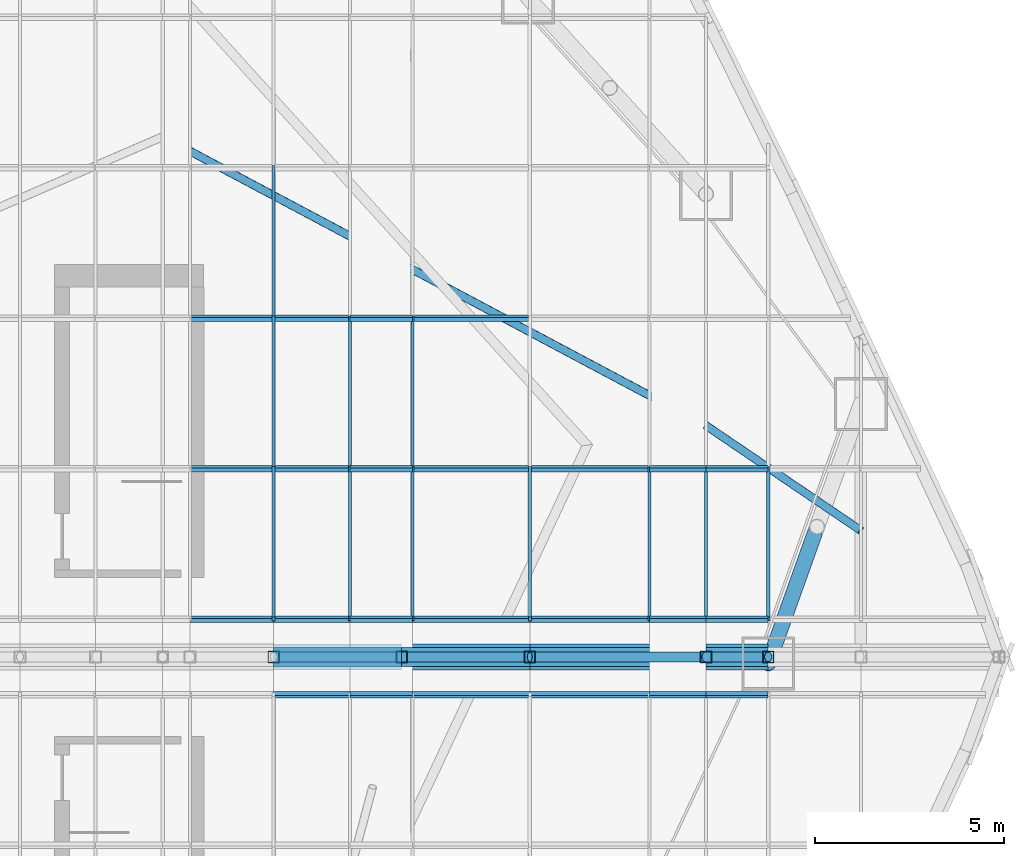
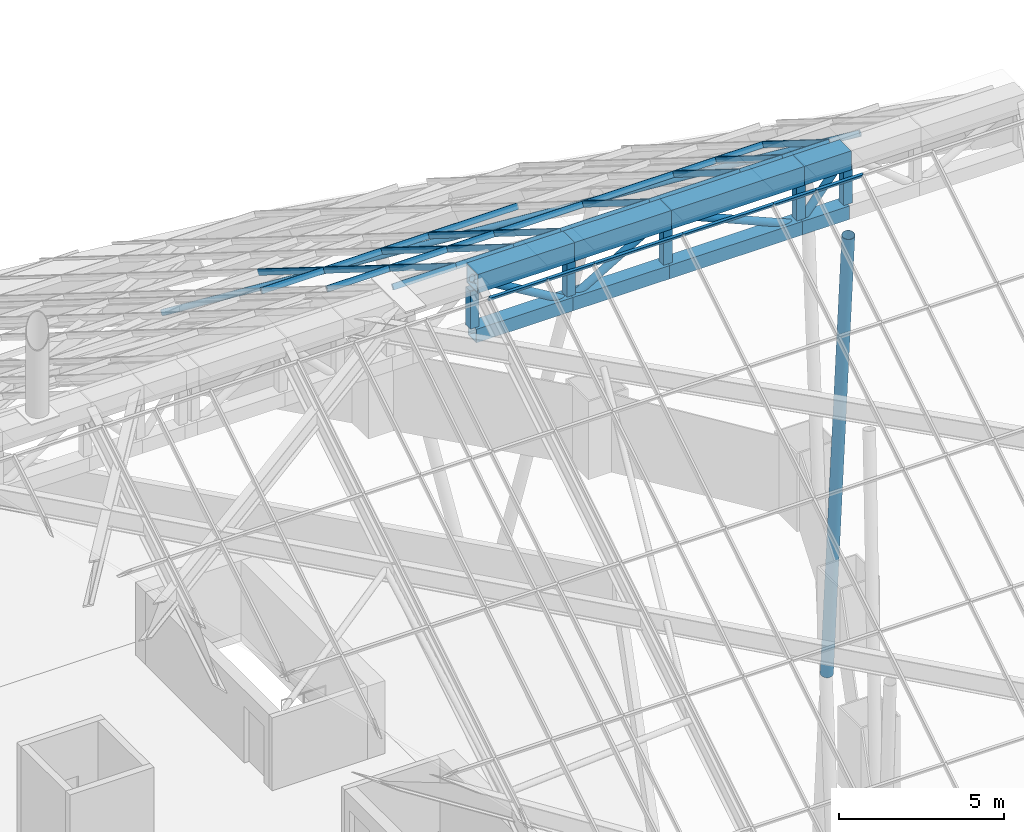
# One storey, part 19 of 38: 55 members, 18 elements without a shape of their own.
"""IFC4 building model written with IfcOpenShell, lengths in metres."""

from ifc_helpers import new_model, si_unit, direction, frame, origin, origin_2d, place, context, subcontext, project, spatial, rectangle, hollow_rectangle, hollow_circle, extrude, material, layer, layer_set, material_profile, profile_set, type_object, element, aggregate, save


model = new_model("IFC4")

# Units and contexts
model_context = context("Model", 3, precision=1e-05, world=origin(), true_north=direction((0.0, 1.0)))
body_context = subcontext(model_context, "Body", "Model", "MODEL_VIEW")
ifc_project = project(units=[si_unit("LENGTHUNIT", "METRE"), si_unit("AREAUNIT", "SQUARE_METRE"), si_unit("VOLUMEUNIT", "CUBIC_METRE"), si_unit("PLANEANGLEUNIT", "RADIAN"), si_unit("MASSUNIT", "GRAM", prefix="KILO")], contexts=[model_context])

# Site, building, storey
site_placement = place(None, origin())
site = spatial("IfcSite", under=ifc_project, at=site_placement, CompositionType="ELEMENT")
building_placement = place(site_placement, origin())
building = spatial("IfcBuilding", under=site, at=building_placement, Name="Dongbaek Canopy Tower", CompositionType="ELEMENT")
storey_placement = place(building_placement, frame((0.0, 0.0, 375.800048828125)))
storey = spatial("IfcBuildingStorey", under=building, at=storey_placement, Name="Roof", CompositionType="ELEMENT", Elevation=375.800048828125)

# Member
ifc_material_1 = material(Name="Steel S355", Category="steel")
ifc_material_profile_1 = material_profile(ifc_material_1, hollow_circle(Radius=0.203125, WallThickness=0.0126953125, at=origin_2d()), Name="COLONNADE BRACE CHS 406.4x12.7 Steel S355")
ifc_profile_set_1 = profile_set([ifc_material_profile_1], Name="Steel S355")
member_type_1 = type_object("IfcMemberType", Name="COLONNADE BRACE CHS 406.4x12.7 Steel S355", PredefinedType="BRACE", material=ifc_profile_set_1)
member_1_placement = place(storey_placement, frame((28.35107421875, -0.169921875, 15.376708984375), z_axis=(0.064101284819, 0.179424824142, -0.981681087608), x_axis=(-0.941707011665, 0.336434100799, 0.0)))
element("IfcMember", 1, at=member_1_placement, inside=storey, type_object=member_type_1, Name="XBRACE:12:2", PredefinedType="BRACE", context=body_context, shape_type="SweptSolid", body=[
    extrude(hollow_circle(Radius=0.203125, WallThickness=0.0126953125, at=origin_2d()), origin(), (0.0, 0.0, 1.0), 19.108154296875),
])

# Curtain wall, member
ifc_material_2 = material(Name="Aluminium 6063-T6 pale anodised", Category="aluminium")
ifc_layer = layer(ifc_material_2, 0.199951171875)
ifc_layer_set = layer_set([ifc_layer], Name="CW-6 canopy glazing curtain wall")
curtain_wall_type = type_object("IfcCurtainWallType", Name="CW-6 canopy glazing curtain wall", PredefinedType="NOTDEFINED", material=ifc_layer_set)
curtain_wall_1_placement = place(storey_placement, origin())
curtain_wall_1 = element("IfcCurtainWall", 2, at=curtain_wall_1_placement, inside=storey, type_object=curtain_wall_type, Name="CW-6 canopy glazing north 23.1", PredefinedType="NOTDEFINED")
ifc_material_3 = material(Name="Aluminium 6063-T6 pale anodised", Category="aluminium")
ifc_material_profile_2 = material_profile(ifc_material_3, rectangle(XDim=0.080078125, YDim=0.199951171875, at=origin_2d()), Name="CW-6 mullion 80 x 200")
ifc_profile_set_2 = profile_set([ifc_material_profile_2], Name="Aluminium 6063-T6 pale anodised")
member_type_2 = type_object("IfcMemberType", Name="CW-6 mullion 80 x 200", PredefinedType="MULLION", material=ifc_profile_set_2)
member_2_placement = place(storey_placement, frame((15.251953125, 1.0, 18.0986328125), z_axis=(0.0, 0.848068327403, -0.529886886095), x_axis=(-1.0, 0.0, 0.0)))
member_2 = element("IfcMember", 3, at=member_2_placement, type_object=member_type_2, Name="CW-6 mullion N23.1.15.3", PredefinedType="MULLION", context=body_context, shape_type="SweptSolid", body=[
    extrude(rectangle(XDim=0.080078125, YDim=0.199951171875, at=origin_2d()), origin(), (0.0, 0.0, 1.0), 4.700439453125),
])

curtain_wall_2_placement = place(storey_placement, origin())
curtain_wall_2 = element("IfcCurtainWall", 4, at=curtain_wall_2_placement, inside=storey, type_object=curtain_wall_type, Name="CW-6 canopy glazing north 23.2", PredefinedType="NOTDEFINED")
member_3_placement = place(storey_placement, frame((15.251953125, 4.986328125, 15.60791015625), z_axis=(0.0, 0.848030400431, -0.529947582262), x_axis=(-1.0, 0.0, 0.0)))
member_3 = element("IfcMember", 5, at=member_3_placement, type_object=member_type_2, Name="CW-6 mullion N23.2.15.3", PredefinedType="MULLION", context=body_context, shape_type="SweptSolid", body=[
    extrude(rectangle(XDim=0.080078125, YDim=0.199951171875, at=origin_2d()), origin(), (0.0, 0.0, 1.0), 4.700439453125),
])

curtain_wall_3_placement = place(storey_placement, origin())
curtain_wall_3 = element("IfcCurtainWall", 6, at=curtain_wall_3_placement, inside=storey, type_object=curtain_wall_type, Name="CW-6 canopy glazing north 23.3", PredefinedType="NOTDEFINED")
member_4_placement = place(storey_placement, frame((15.251953125, 8.972412109375, 13.116943359375), z_axis=(0.0, 0.848068327403, -0.529886886095), x_axis=(-1.0, 0.0, 0.0)))
member_4 = element("IfcMember", 7, at=member_4_placement, type_object=member_type_2, Name="CW-6 mullion N23.3.15.3", PredefinedType="MULLION", context=body_context, shape_type="SweptSolid", body=[
    extrude(rectangle(XDim=0.080078125, YDim=0.199951171875, at=origin_2d()), origin(), (0.0, 0.0, 1.0), 4.700439453125),
])
aggregate(curtain_wall_3, [member_4])

curtain_wall_4_placement = place(storey_placement, origin())
curtain_wall_4 = element("IfcCurtainWall", 8, at=curtain_wall_4_placement, inside=storey, type_object=curtain_wall_type, Name="CW-6 canopy glazing north 24.1", PredefinedType="NOTDEFINED")
member_5_placement = place(storey_placement, frame((17.27587890625, 1.0, 18.0986328125), z_axis=(0.0, 0.848068327403, -0.529886886095), x_axis=(-1.0, 0.0, 0.0)))
member_5 = element("IfcMember", 9, at=member_5_placement, type_object=member_type_2, Name="CW-6 mullion N24.1.17.3", PredefinedType="MULLION", context=body_context, shape_type="SweptSolid", body=[
    extrude(rectangle(XDim=0.080078125, YDim=0.199951171875, at=origin_2d()), origin(), (0.0, 0.0, 1.0), 4.700439453125),
])

curtain_wall_5_placement = place(storey_placement, origin())
curtain_wall_5 = element("IfcCurtainWall", 10, at=curtain_wall_5_placement, inside=storey, type_object=curtain_wall_type, Name="CW-6 canopy glazing north 24.2", PredefinedType="NOTDEFINED")
member_6_placement = place(storey_placement, frame((17.27587890625, 4.986328125, 15.60791015625), z_axis=(0.0, 0.848030400431, -0.529947582262), x_axis=(-1.0, 0.0, 0.0)))
member_6 = element("IfcMember", 11, at=member_6_placement, type_object=member_type_2, Name="CW-6 mullion N24.2.17.3", PredefinedType="MULLION", context=body_context, shape_type="SweptSolid", body=[
    extrude(rectangle(XDim=0.080078125, YDim=0.199951171875, at=origin_2d()), origin(), (0.0, 0.0, 1.0), 4.700439453125),
])

curtain_wall_6_placement = place(storey_placement, origin())
curtain_wall_6 = element("IfcCurtainWall", 12, at=curtain_wall_6_placement, inside=storey, type_object=curtain_wall_type, Name="CW-6 canopy glazing north 25.1", PredefinedType="NOTDEFINED")
member_7_placement = place(storey_placement, frame((18.925048828125, 1.0, 18.0986328125), z_axis=(0.0, 0.848068327403, -0.529886886095), x_axis=(-1.0, 0.0, 0.0)))
member_7 = element("IfcMember", 13, at=member_7_placement, type_object=member_type_2, Name="CW-6 mullion N25.1.18.9", PredefinedType="MULLION", context=body_context, shape_type="SweptSolid", body=[
    extrude(rectangle(XDim=0.080078125, YDim=0.199951171875, at=origin_2d()), origin(), (0.0, 0.0, 1.0), 4.700439453125),
])

curtain_wall_7_placement = place(storey_placement, origin())
curtain_wall_7 = element("IfcCurtainWall", 14, at=curtain_wall_7_placement, inside=storey, type_object=curtain_wall_type, Name="CW-6 canopy glazing north 25.2", PredefinedType="NOTDEFINED")
member_8_placement = place(storey_placement, frame((18.925048828125, 4.986328125, 15.60791015625), z_axis=(0.0, 0.848030400431, -0.529947582262), x_axis=(-1.0, 0.0, 0.0)))
member_8 = element("IfcMember", 15, at=member_8_placement, type_object=member_type_2, Name="CW-6 mullion N25.2.18.9", PredefinedType="MULLION", context=body_context, shape_type="SweptSolid", body=[
    extrude(rectangle(XDim=0.080078125, YDim=0.199951171875, at=origin_2d()), origin(), (0.0, 0.0, 1.0), 4.700439453125),
])

curtain_wall_8_placement = place(storey_placement, origin())
curtain_wall_8 = element("IfcCurtainWall", 16, at=curtain_wall_8_placement, inside=storey, type_object=curtain_wall_type, Name="CW-6 canopy glazing north 26.1", PredefinedType="NOTDEFINED")
member_9_placement = place(storey_placement, frame((22.035400390625, 1.0, 18.0986328125), z_axis=(0.0, 0.848068327403, -0.529886886095), x_axis=(-1.0, 0.0, 0.0)))
member_9 = element("IfcMember", 17, at=member_9_placement, type_object=member_type_2, Name="CW-6 mullion N26.1.22.0", PredefinedType="MULLION", context=body_context, shape_type="SweptSolid", body=[
    extrude(rectangle(XDim=0.080078125, YDim=0.199951171875, at=origin_2d()), origin(), (0.0, 0.0, 1.0), 4.700439453125),
])

curtain_wall_9_placement = place(storey_placement, origin())
curtain_wall_9 = element("IfcCurtainWall", 18, at=curtain_wall_9_placement, inside=storey, type_object=curtain_wall_type, Name="CW-6 canopy glazing north 27.1", PredefinedType="NOTDEFINED")
member_10_placement = place(storey_placement, frame((25.2099609375, 1.0, 18.0986328125), z_axis=(0.0, 0.848068327403, -0.529886886095), x_axis=(-1.0, 0.0, 0.0)))
member_10 = element("IfcMember", 19, at=member_10_placement, type_object=member_type_2, Name="CW-6 mullion N27.1.25.2", PredefinedType="MULLION", context=body_context, shape_type="SweptSolid", body=[
    extrude(rectangle(XDim=0.080078125, YDim=0.199951171875, at=origin_2d()), origin(), (0.0, 0.0, 1.0), 4.700439453125),
])

curtain_wall_10_placement = place(storey_placement, origin())
curtain_wall_10 = element("IfcCurtainWall", 20, at=curtain_wall_10_placement, inside=storey, type_object=curtain_wall_type, Name="CW-6 canopy glazing north 28.1", PredefinedType="NOTDEFINED")
member_11_placement = place(storey_placement, frame((26.702880859375, 1.0, 18.0986328125), z_axis=(0.0, 0.848068327403, -0.529886886095), x_axis=(-1.0, 0.0, 0.0)))
member_11 = element("IfcMember", 21, at=member_11_placement, type_object=member_type_2, Name="CW-6 mullion N28.1.26.7", PredefinedType="MULLION", context=body_context, shape_type="SweptSolid", body=[
    extrude(rectangle(XDim=0.080078125, YDim=0.199951171875, at=origin_2d()), origin(), (0.0, 0.0, 1.0), 4.700439453125),
])

curtain_wall_11_placement = place(storey_placement, origin())
curtain_wall_11 = element("IfcCurtainWall", 22, at=curtain_wall_11_placement, inside=storey, type_object=curtain_wall_type, Name="CW-6 canopy glazing north 29.1", PredefinedType="NOTDEFINED")
member_12_placement = place(storey_placement, frame((28.35107421875, 1.0, 18.0986328125), z_axis=(0.0, 0.848068327403, -0.529886886095), x_axis=(-1.0, 0.0, 0.0)))
member_12 = element("IfcMember", 23, at=member_12_placement, type_object=member_type_2, Name="CW-6 mullion N29.1.28.4", PredefinedType="MULLION", context=body_context, shape_type="SweptSolid", body=[
    extrude(rectangle(XDim=0.080078125, YDim=0.199951171875, at=origin_2d()), origin(), (0.0, 0.0, 1.0), 4.700439453125),
])

# Member
ifc_material_4 = material(Name="Aluminium 6063-T6 pale anodised", Category="aluminium")
ifc_material_profile_3 = material_profile(ifc_material_4, rectangle(XDim=0.080078125, YDim=0.199951171875, at=origin_2d()), Name="CW-6 transom 80 x 200")
ifc_profile_set_3 = profile_set([ifc_material_profile_3], Name="Aluminium 6063-T6 pale anodised")
member_type_3 = type_object("IfcMemberType", Name="CW-6 transom 80 x 200", PredefinedType="USERDEFINED", material=ifc_profile_set_3)
member_13_placement = place(storey_placement, frame((13.035400390625, 1.0, 18.0986328125), z_axis=(1.0, 0.0, 0.0), x_axis=(0.0, 0.848048096156, -0.529919264233)))
member_13 = element("IfcMember", 24, at=member_13_placement, type_object=member_type_3, Name="CW-6 transom N23.1.1", ObjectType="TRANSOM", PredefinedType="USERDEFINED", context=body_context, shape_type="SweptSolid", body=[
    extrude(rectangle(XDim=0.080078125, YDim=0.199951171875, at=origin_2d()), origin(), (0.0, 0.0, 1.0), 2.216552734375),
])

member_14_placement = place(storey_placement, frame((13.035400390625, 4.986328125, 15.60791015625), z_axis=(1.0, 0.0, 0.0), x_axis=(0.0, 0.848048096156, -0.529919264233)))
member_14 = element("IfcMember", 25, at=member_14_placement, type_object=member_type_3, Name="CW-6 transom N23.1.2", ObjectType="TRANSOM", PredefinedType="USERDEFINED", context=body_context, shape_type="SweptSolid", body=[
    extrude(rectangle(XDim=0.080078125, YDim=0.199951171875, at=origin_2d()), origin(), (0.0, 0.0, 1.0), 2.216552734375),
])

aggregate(curtain_wall_1, [member_2, member_13, member_14])

member_15_placement = place(storey_placement, frame((13.035400390625, 8.972412109375, 13.116943359375), z_axis=(1.0, 0.0, 0.0), x_axis=(0.0, 0.848048096156, -0.529919264233)))
member_15 = element("IfcMember", 26, at=member_15_placement, type_object=member_type_3, Name="CW-6 transom N23.2.3", ObjectType="TRANSOM", PredefinedType="USERDEFINED", context=body_context, shape_type="SweptSolid", body=[
    extrude(rectangle(XDim=0.080078125, YDim=0.199951171875, at=origin_2d()), origin(), (0.0, 0.0, 1.0), 2.216552734375),
])

aggregate(curtain_wall_2, [member_3, member_15])

member_16_placement = place(storey_placement, frame((15.251953125, 1.0, 18.0986328125), z_axis=(1.0, 0.0, 0.0), x_axis=(0.0, 0.848048096156, -0.529919264233)))
member_16 = element("IfcMember", 27, at=member_16_placement, type_object=member_type_3, Name="CW-6 transom N24.1.1", ObjectType="TRANSOM", PredefinedType="USERDEFINED", context=body_context, shape_type="SweptSolid", body=[
    extrude(rectangle(XDim=0.080078125, YDim=0.199951171875, at=origin_2d()), origin(), (0.0, 0.0, 1.0), 2.02392578125),
])

member_17_placement = place(storey_placement, frame((15.251953125, 4.986328125, 15.60791015625), z_axis=(1.0, 0.0, 0.0), x_axis=(0.0, 0.848048096156, -0.529919264233)))
member_17 = element("IfcMember", 28, at=member_17_placement, type_object=member_type_3, Name="CW-6 transom N24.1.2", ObjectType="TRANSOM", PredefinedType="USERDEFINED", context=body_context, shape_type="SweptSolid", body=[
    extrude(rectangle(XDim=0.080078125, YDim=0.199951171875, at=origin_2d()), origin(), (0.0, 0.0, 1.0), 2.02392578125),
])

aggregate(curtain_wall_4, [member_5, member_16, member_17])

member_18_placement = place(storey_placement, frame((15.251953125, 8.972412109375, 13.116943359375), z_axis=(1.0, 0.0, 0.0), x_axis=(0.0, 0.848048096156, -0.529919264233)))
member_18 = element("IfcMember", 29, at=member_18_placement, type_object=member_type_3, Name="CW-6 transom N24.2.3", ObjectType="TRANSOM", PredefinedType="USERDEFINED", context=body_context, shape_type="SweptSolid", body=[
    extrude(rectangle(XDim=0.080078125, YDim=0.199951171875, at=origin_2d()), origin(), (0.0, 0.0, 1.0), 2.02392578125),
])

aggregate(curtain_wall_5, [member_6, member_18])

member_19_placement = place(storey_placement, frame((17.27587890625, 1.0, 18.0986328125), z_axis=(1.0, 0.0, 0.0), x_axis=(0.0, 0.848048096156, -0.529919264233)))
member_19 = element("IfcMember", 30, at=member_19_placement, type_object=member_type_3, Name="CW-6 transom N25.1.1", ObjectType="TRANSOM", PredefinedType="USERDEFINED", context=body_context, shape_type="SweptSolid", body=[
    extrude(rectangle(XDim=0.080078125, YDim=0.199951171875, at=origin_2d()), origin(), (0.0, 0.0, 1.0), 1.649169921875),
])

member_20_placement = place(storey_placement, frame((17.27587890625, 4.986328125, 15.60791015625), z_axis=(1.0, 0.0, 0.0), x_axis=(0.0, 0.848048096156, -0.529919264233)))
member_20 = element("IfcMember", 31, at=member_20_placement, type_object=member_type_3, Name="CW-6 transom N25.1.2", ObjectType="TRANSOM", PredefinedType="USERDEFINED", context=body_context, shape_type="SweptSolid", body=[
    extrude(rectangle(XDim=0.080078125, YDim=0.199951171875, at=origin_2d()), origin(), (0.0, 0.0, 1.0), 1.649169921875),
])

aggregate(curtain_wall_6, [member_7, member_19, member_20])

member_21_placement = place(storey_placement, frame((17.27587890625, 8.972412109375, 13.116943359375), z_axis=(1.0, 0.0, 0.0), x_axis=(0.0, 0.848048096156, -0.529919264233)))
member_21 = element("IfcMember", 32, at=member_21_placement, type_object=member_type_3, Name="CW-6 transom N25.2.3", ObjectType="TRANSOM", PredefinedType="USERDEFINED", context=body_context, shape_type="SweptSolid", body=[
    extrude(rectangle(XDim=0.080078125, YDim=0.199951171875, at=origin_2d()), origin(), (0.0, 0.0, 1.0), 1.649169921875),
])

aggregate(curtain_wall_7, [member_8, member_21])

member_22_placement = place(storey_placement, frame((18.925048828125, 1.0, 18.0986328125), z_axis=(1.0, 0.0, 0.0), x_axis=(0.0, 0.848048096156, -0.529919264233)))
member_22 = element("IfcMember", 33, at=member_22_placement, type_object=member_type_3, Name="CW-6 transom N26.1.1", ObjectType="TRANSOM", PredefinedType="USERDEFINED", context=body_context, shape_type="SweptSolid", body=[
    extrude(rectangle(XDim=0.080078125, YDim=0.199951171875, at=origin_2d()), origin(), (0.0, 0.0, 1.0), 3.1103515625),
])

member_23_placement = place(storey_placement, frame((18.925048828125, 4.986328125, 15.60791015625), z_axis=(1.0, 0.0, 0.0), x_axis=(0.0, 0.848048096156, -0.529919264233)))
member_23 = element("IfcMember", 34, at=member_23_placement, type_object=member_type_3, Name="CW-6 transom N26.1.2", ObjectType="TRANSOM", PredefinedType="USERDEFINED", context=body_context, shape_type="SweptSolid", body=[
    extrude(rectangle(XDim=0.080078125, YDim=0.199951171875, at=origin_2d()), origin(), (0.0, 0.0, 1.0), 3.1103515625),
])

aggregate(curtain_wall_8, [member_9, member_22, member_23])

# Curtain wall, member
curtain_wall_12_placement = place(storey_placement, origin())
curtain_wall_12 = element("IfcCurtainWall", 35, at=curtain_wall_12_placement, inside=storey, type_object=curtain_wall_type, Name="CW-6 canopy glazing north 26.2", PredefinedType="NOTDEFINED")
member_24_placement = place(storey_placement, frame((18.925048828125, 8.972412109375, 13.116943359375), z_axis=(1.0, 0.0, 0.0), x_axis=(0.0, 0.848048096156, -0.529919264233)))
member_24 = element("IfcMember", 36, at=member_24_placement, type_object=member_type_3, Name="CW-6 transom N26.2.3", ObjectType="TRANSOM", PredefinedType="USERDEFINED", context=body_context, shape_type="SweptSolid", body=[
    extrude(rectangle(XDim=0.080078125, YDim=0.199951171875, at=origin_2d()), origin(), (0.0, 0.0, 1.0), 3.1103515625),
])
aggregate(curtain_wall_12, [member_24])

# Member
member_25_placement = place(storey_placement, frame((22.035400390625, 1.0, 18.0986328125), z_axis=(1.0, 0.0, 0.0), x_axis=(0.0, 0.848048096156, -0.529919264233)))
member_25 = element("IfcMember", 37, at=member_25_placement, type_object=member_type_3, Name="CW-6 transom N27.1.1", ObjectType="TRANSOM", PredefinedType="USERDEFINED", context=body_context, shape_type="SweptSolid", body=[
    extrude(rectangle(XDim=0.080078125, YDim=0.199951171875, at=origin_2d()), origin(), (0.0, 0.0, 1.0), 3.174560546875),
])

member_26_placement = place(storey_placement, frame((22.035400390625, 4.986328125, 15.60791015625), z_axis=(1.0, 0.0, 0.0), x_axis=(0.0, 0.848048096156, -0.529919264233)))
member_26 = element("IfcMember", 38, at=member_26_placement, type_object=member_type_3, Name="CW-6 transom N27.1.2", ObjectType="TRANSOM", PredefinedType="USERDEFINED", context=body_context, shape_type="SweptSolid", body=[
    extrude(rectangle(XDim=0.080078125, YDim=0.199951171875, at=origin_2d()), origin(), (0.0, 0.0, 1.0), 3.174560546875),
])

aggregate(curtain_wall_9, [member_10, member_25, member_26])

member_27_placement = place(storey_placement, frame((25.2099609375, 1.0, 18.0986328125), z_axis=(1.0, 0.0, 0.0), x_axis=(0.0, 0.848048096156, -0.529919264233)))
member_27 = element("IfcMember", 39, at=member_27_placement, type_object=member_type_3, Name="CW-6 transom N28.1.1", ObjectType="TRANSOM", PredefinedType="USERDEFINED", context=body_context, shape_type="SweptSolid", body=[
    extrude(rectangle(XDim=0.080078125, YDim=0.199951171875, at=origin_2d()), origin(), (0.0, 0.0, 1.0), 1.492919921875),
])

member_28_placement = place(storey_placement, frame((25.2099609375, 4.986328125, 15.60791015625), z_axis=(1.0, 0.0, 0.0), x_axis=(0.0, 0.848048096156, -0.529919264233)))
member_28 = element("IfcMember", 40, at=member_28_placement, type_object=member_type_3, Name="CW-6 transom N28.1.2", ObjectType="TRANSOM", PredefinedType="USERDEFINED", context=body_context, shape_type="SweptSolid", body=[
    extrude(rectangle(XDim=0.080078125, YDim=0.199951171875, at=origin_2d()), origin(), (0.0, 0.0, 1.0), 1.492919921875),
])

aggregate(curtain_wall_10, [member_11, member_27, member_28])

member_29_placement = place(storey_placement, frame((26.702880859375, 1.0, 18.0986328125), z_axis=(1.0, 0.0, 0.0), x_axis=(0.0, 0.848048096156, -0.529919264233)))
member_29 = element("IfcMember", 41, at=member_29_placement, type_object=member_type_3, Name="CW-6 transom N29.1.1", ObjectType="TRANSOM", PredefinedType="USERDEFINED", context=body_context, shape_type="SweptSolid", body=[
    extrude(rectangle(XDim=0.080078125, YDim=0.199951171875, at=origin_2d()), origin(), (0.0, 0.0, 1.0), 1.648193359375),
])

member_30_placement = place(storey_placement, frame((26.702880859375, 4.986328125, 15.60791015625), z_axis=(1.0, 0.0, 0.0), x_axis=(0.0, 0.848048096156, -0.529919264233)))
member_30 = element("IfcMember", 42, at=member_30_placement, type_object=member_type_3, Name="CW-6 transom N29.1.2", ObjectType="TRANSOM", PredefinedType="USERDEFINED", context=body_context, shape_type="SweptSolid", body=[
    extrude(rectangle(XDim=0.080078125, YDim=0.199951171875, at=origin_2d()), origin(), (0.0, 0.0, 1.0), 1.648193359375),
])

aggregate(curtain_wall_11, [member_12, member_29, member_30])

# Curtain wall, member
curtain_wall_13_placement = place(storey_placement, origin())
curtain_wall_13 = element("IfcCurtainWall", 43, at=curtain_wall_13_placement, inside=storey, type_object=curtain_wall_type, Name="CW-6 canopy glazing south 24.1", PredefinedType="NOTDEFINED")
member_31_placement = place(storey_placement, frame((15.251953125, -1.0, 18.0986328125), z_axis=(1.0, 0.0, 0.0), x_axis=(0.0, 0.848048096156, 0.529919264233)))
member_31 = element("IfcMember", 44, at=member_31_placement, type_object=member_type_3, Name="CW-6 transom S24.1.1", ObjectType="TRANSOM", PredefinedType="USERDEFINED", context=body_context, shape_type="SweptSolid", body=[
    extrude(rectangle(XDim=0.080078125, YDim=0.199951171875, at=origin_2d()), origin(), (0.0, 0.0, 1.0), 2.02392578125),
])
aggregate(curtain_wall_13, [member_31])

curtain_wall_14_placement = place(storey_placement, origin())
curtain_wall_14 = element("IfcCurtainWall", 45, at=curtain_wall_14_placement, inside=storey, type_object=curtain_wall_type, Name="CW-6 canopy glazing south 25.1", PredefinedType="NOTDEFINED")
member_32_placement = place(storey_placement, frame((17.27587890625, -1.0, 18.0986328125), z_axis=(1.0, 0.0, 0.0), x_axis=(0.0, 0.848048096156, 0.529919264233)))
member_32 = element("IfcMember", 46, at=member_32_placement, type_object=member_type_3, Name="CW-6 transom S25.1.1", ObjectType="TRANSOM", PredefinedType="USERDEFINED", context=body_context, shape_type="SweptSolid", body=[
    extrude(rectangle(XDim=0.080078125, YDim=0.199951171875, at=origin_2d()), origin(), (0.0, 0.0, 1.0), 1.649169921875),
])
aggregate(curtain_wall_14, [member_32])

curtain_wall_15_placement = place(storey_placement, origin())
curtain_wall_15 = element("IfcCurtainWall", 47, at=curtain_wall_15_placement, inside=storey, type_object=curtain_wall_type, Name="CW-6 canopy glazing south 26.1", PredefinedType="NOTDEFINED")
member_33_placement = place(storey_placement, frame((18.925048828125, -1.0, 18.0986328125), z_axis=(1.0, 0.0, 0.0), x_axis=(0.0, 0.848048096156, 0.529919264233)))
member_33 = element("IfcMember", 48, at=member_33_placement, type_object=member_type_3, Name="CW-6 transom S26.1.1", ObjectType="TRANSOM", PredefinedType="USERDEFINED", context=body_context, shape_type="SweptSolid", body=[
    extrude(rectangle(XDim=0.080078125, YDim=0.199951171875, at=origin_2d()), origin(), (0.0, 0.0, 1.0), 3.1103515625),
])
aggregate(curtain_wall_15, [member_33])

curtain_wall_16_placement = place(storey_placement, origin())
curtain_wall_16 = element("IfcCurtainWall", 49, at=curtain_wall_16_placement, inside=storey, type_object=curtain_wall_type, Name="CW-6 canopy glazing south 27.1", PredefinedType="NOTDEFINED")
member_34_placement = place(storey_placement, frame((22.035400390625, -1.0, 18.0986328125), z_axis=(1.0, 0.0, 0.0), x_axis=(0.0, 0.848048096156, 0.529919264233)))
member_34 = element("IfcMember", 50, at=member_34_placement, type_object=member_type_3, Name="CW-6 transom S27.1.1", ObjectType="TRANSOM", PredefinedType="USERDEFINED", context=body_context, shape_type="SweptSolid", body=[
    extrude(rectangle(XDim=0.080078125, YDim=0.199951171875, at=origin_2d()), origin(), (0.0, 0.0, 1.0), 3.174560546875),
])
aggregate(curtain_wall_16, [member_34])

curtain_wall_17_placement = place(storey_placement, origin())
curtain_wall_17 = element("IfcCurtainWall", 51, at=curtain_wall_17_placement, inside=storey, type_object=curtain_wall_type, Name="CW-6 canopy glazing south 28.1", PredefinedType="NOTDEFINED")
member_35_placement = place(storey_placement, frame((25.2099609375, -1.0, 18.0986328125), z_axis=(1.0, 0.0, 0.0), x_axis=(0.0, 0.848048096156, 0.529919264233)))
member_35 = element("IfcMember", 52, at=member_35_placement, type_object=member_type_3, Name="CW-6 transom S28.1.1", ObjectType="TRANSOM", PredefinedType="USERDEFINED", context=body_context, shape_type="SweptSolid", body=[
    extrude(rectangle(XDim=0.080078125, YDim=0.199951171875, at=origin_2d()), origin(), (0.0, 0.0, 1.0), 1.492919921875),
])
aggregate(curtain_wall_17, [member_35])

curtain_wall_18_placement = place(storey_placement, origin())
curtain_wall_18 = element("IfcCurtainWall", 53, at=curtain_wall_18_placement, inside=storey, type_object=curtain_wall_type, Name="CW-6 canopy glazing south 29.1", PredefinedType="NOTDEFINED")
member_36_placement = place(storey_placement, frame((26.702880859375, -1.0, 18.0986328125), z_axis=(1.0, 0.0, 0.0), x_axis=(0.0, 0.848048096156, 0.529919264233)))
member_36 = element("IfcMember", 54, at=member_36_placement, type_object=member_type_3, Name="CW-6 transom S29.1.1", ObjectType="TRANSOM", PredefinedType="USERDEFINED", context=body_context, shape_type="SweptSolid", body=[
    extrude(rectangle(XDim=0.080078125, YDim=0.199951171875, at=origin_2d()), origin(), (0.0, 0.0, 1.0), 1.648193359375),
])
aggregate(curtain_wall_18, [member_36])

# Members
ifc_material_5 = material(Name="Steel S355", Category="steel")
ifc_material_profile_4 = material_profile(ifc_material_5, hollow_circle(Radius=0.108154296875, WallThickness=0.00830078125, at=origin_2d()), Name="PURLIN CHS 216.3x8.2 Steel S355")
ifc_profile_set_4 = profile_set([ifc_material_profile_4], Name="Steel S355")
member_type_4 = type_object("IfcMemberType", Name="PURLIN CHS 216.3x8.2 Steel S355", PredefinedType="PURLIN", material=ifc_profile_set_4)
member_37_placement = place(storey_placement, frame((12.31396484375, 13.781494140625, 9.64013671875), z_axis=(0.847172505987, -0.450588196637, 0.28154754865), x_axis=(0.46958415409, 0.882887717792, 0.0)))
element("IfcMember", 55, at=member_37_placement, inside=storey, type_object=member_type_4, Name="PURLIN:1:09", PredefinedType="PURLIN", context=body_context, shape_type="SweptSolid", body=[
    extrude(hollow_circle(Radius=0.108154296875, WallThickness=0.00830078125, at=origin_2d()), origin(), (0.0, 0.0, 1.0), 16.984619140625),
])
member_38_placement = place(storey_placement, frame((26.702880859375, 6.12841796875, 14.422119140625), z_axis=(0.781267285719, -0.529338577588, 0.330790112523), x_axis=(0.560915690615, 0.827872929876, 0.0)))
element("IfcMember", 56, at=member_38_placement, inside=storey, type_object=member_type_4, Name="PURLIN:1:10", PredefinedType="PURLIN", context=body_context, shape_type="SweptSolid", body=[
    extrude(hollow_circle(Radius=0.108154296875, WallThickness=0.00830078125, at=origin_2d()), origin(), (0.0, 0.0, 1.0), 5.25048828125),
])
ifc_material_6 = material(Name="Steel S355", Category="steel")
ifc_material_profile_5 = material_profile(ifc_material_6, hollow_rectangle(XDim=0.699951171875, YDim=0.699951171875, WallThickness=0.035888671875, at=origin_2d()), Name="RIDGE BEAM BOX 700x700x36 Steel S355")
ifc_profile_set_5 = profile_set([ifc_material_profile_5], Name="Steel S355")
member_type_5 = type_object("IfcMemberType", Name="RIDGE BEAM BOX 700x700x36 Steel S355", PredefinedType="MEMBER", material=ifc_profile_set_5)
member_39_placement = place(storey_placement, frame((15.251953125, 0.0, 18.251708984375), z_axis=(1.0, 0.0, 0.0), x_axis=(0.0, 1.0, 0.0)))
element("IfcMember", 57, at=member_39_placement, inside=storey, type_object=member_type_5, Name="RIDGE:23", PredefinedType="MEMBER", context=body_context, shape_type="SweptSolid", body=[
    extrude(hollow_rectangle(XDim=0.699951171875, YDim=0.699951171875, WallThickness=0.035888671875, at=origin_2d()), origin(), (0.0, 0.0, 1.0), 3.391845703125),
])
member_40_placement = place(storey_placement, frame((18.643798828125, 0.0, 18.251708984375), z_axis=(1.0, 0.0, 0.0), x_axis=(0.0, 1.0, 0.0)))
element("IfcMember", 58, at=member_40_placement, inside=storey, type_object=member_type_5, Name="RIDGE:24", PredefinedType="MEMBER", context=body_context, shape_type="SweptSolid", body=[
    extrude(hollow_rectangle(XDim=0.699951171875, YDim=0.699951171875, WallThickness=0.035888671875, at=origin_2d()), origin(), (0.0, 0.0, 1.0), 3.3916015625),
])
member_41_placement = place(storey_placement, frame((22.035400390625, 0.0, 18.251708984375), z_axis=(1.0, 0.0, 0.0), x_axis=(0.0, 1.0, 0.0)))
element("IfcMember", 59, at=member_41_placement, inside=storey, type_object=member_type_5, Name="RIDGE:25", PredefinedType="MEMBER", context=body_context, shape_type="SweptSolid", body=[
    extrude(hollow_rectangle(XDim=0.699951171875, YDim=0.699951171875, WallThickness=0.035888671875, at=origin_2d()), origin(), (0.0, 0.0, 1.0), 4.66748046875),
])
member_42_placement = place(storey_placement, frame((26.702880859375, 0.0, 18.251708984375), z_axis=(1.0, 0.0, 0.0), x_axis=(0.0, 1.0, 0.0)))
element("IfcMember", 60, at=member_42_placement, inside=storey, type_object=member_type_5, Name="RIDGE:26", PredefinedType="MEMBER", context=body_context, shape_type="SweptSolid", body=[
    extrude(hollow_rectangle(XDim=0.699951171875, YDim=0.699951171875, WallThickness=0.035888671875, at=origin_2d()), origin(), (0.0, 0.0, 1.0), 1.648193359375),
])
ifc_material_7 = material(Name="Steel S355", Category="steel")
ifc_material_profile_6 = material_profile(ifc_material_7, hollow_circle(Radius=0.1337890625, WallThickness=0.00927734375, at=origin_2d()), Name="RIDGE BRACE CHS 267.4x9.3 Steel S355")
ifc_profile_set_6 = profile_set([ifc_material_profile_6], Name="Steel S355")
member_type_6 = type_object("IfcMemberType", Name="RIDGE BRACE CHS 267.4x9.3 Steel S355", PredefinedType="BRACE", material=ifc_profile_set_6)
for number, where, z_axis, x_axis, name in (
    (61, (15.251953125, 0.0, 18.251708984375), (0.861401378838, 0.0, -0.507924861113), (0.0, 1.0, 0.0), "RIDGEBRACE:23"),
    (62, (18.643798828125, 0.0, 16.251708984375), (0.861385381664, 0.0, 0.507951990109), (0.0, 1.0, 0.0), "RIDGEBRACE:24"),
):
    element("IfcMember", number, at=place(storey_placement, frame(where, z_axis=z_axis, x_axis=x_axis)), inside=storey, type_object=member_type_6, Name=name, PredefinedType="BRACE", context=body_context, shape_type="SweptSolid", body=[
        extrude(hollow_circle(Radius=0.1337890625, WallThickness=0.00927734375, at=origin_2d()), origin(), (0.0, 0.0, 1.0), 3.9375),
    ])
member_43_placement = place(storey_placement, frame((22.035400390625, 0.0, 18.251708984375), z_axis=(0.919169896515, 0.0, -0.393861271694), x_axis=(0.0, 1.0, 0.0)))
element("IfcMember", 63, at=member_43_placement, inside=storey, type_object=member_type_6, Name="RIDGEBRACE:25", PredefinedType="BRACE", context=body_context, shape_type="SweptSolid", body=[
    extrude(hollow_circle(Radius=0.1337890625, WallThickness=0.00927734375, at=origin_2d()), origin(), (0.0, 0.0, 1.0), 5.077880859375),
])
member_44_placement = place(storey_placement, frame((26.702880859375, 0.0, 16.251708984375), z_axis=(0.635968072954, 0.0, 0.771715368632), x_axis=(0.0, 1.0, 0.0)))
element("IfcMember", 64, at=member_44_placement, inside=storey, type_object=member_type_6, Name="RIDGEBRACE:26", PredefinedType="BRACE", context=body_context, shape_type="SweptSolid", body=[
    extrude(hollow_circle(Radius=0.1337890625, WallThickness=0.00927734375, at=origin_2d()), origin(), (0.0, 0.0, 1.0), 2.591552734375),
])
ifc_material_8 = material(Name="Steel S355", Category="steel")
ifc_material_profile_7 = material_profile(ifc_material_8, hollow_rectangle(XDim=0.5, YDim=0.5, WallThickness=0.030029296875, at=origin_2d()), Name="RIDGE LOWER CHORD BOX 500x500x30 Steel S355")
ifc_profile_set_7 = profile_set([ifc_material_profile_7], Name="Steel S355")
member_type_7 = type_object("IfcMemberType", Name="RIDGE LOWER CHORD BOX 500x500x30 Steel S355", PredefinedType="CHORD", material=ifc_profile_set_7)
member_45_placement = place(storey_placement, frame((15.251953125, 0.0, 16.251708984375), z_axis=(1.0, 0.0, 0.0), x_axis=(0.0, 1.0, 0.0)))
element("IfcMember", 65, at=member_45_placement, inside=storey, type_object=member_type_7, Name="RIDGELOW:23", PredefinedType="CHORD", context=body_context, shape_type="SweptSolid", body=[
    extrude(hollow_rectangle(XDim=0.5, YDim=0.5, WallThickness=0.030029296875, at=origin_2d()), origin(), (0.0, 0.0, 1.0), 3.391845703125),
])
member_46_placement = place(storey_placement, frame((18.643798828125, 0.0, 16.251708984375), z_axis=(1.0, 0.0, 0.0), x_axis=(0.0, 1.0, 0.0)))
element("IfcMember", 66, at=member_46_placement, inside=storey, type_object=member_type_7, Name="RIDGELOW:24", PredefinedType="CHORD", context=body_context, shape_type="SweptSolid", body=[
    extrude(hollow_rectangle(XDim=0.5, YDim=0.5, WallThickness=0.030029296875, at=origin_2d()), origin(), (0.0, 0.0, 1.0), 3.3916015625),
])
member_47_placement = place(storey_placement, frame((22.035400390625, 0.0, 16.251708984375), z_axis=(1.0, 0.0, 0.0), x_axis=(0.0, 1.0, 0.0)))
element("IfcMember", 67, at=member_47_placement, inside=storey, type_object=member_type_7, Name="RIDGELOW:25", PredefinedType="CHORD", context=body_context, shape_type="SweptSolid", body=[
    extrude(hollow_rectangle(XDim=0.5, YDim=0.5, WallThickness=0.030029296875, at=origin_2d()), origin(), (0.0, 0.0, 1.0), 4.66748046875),
])
member_48_placement = place(storey_placement, frame((26.702880859375, 0.0, 16.251708984375), z_axis=(1.0, 0.0, 0.0), x_axis=(0.0, 1.0, 0.0)))
element("IfcMember", 68, at=member_48_placement, inside=storey, type_object=member_type_7, Name="RIDGELOW:26", PredefinedType="CHORD", context=body_context, shape_type="SweptSolid", body=[
    extrude(hollow_rectangle(XDim=0.5, YDim=0.5, WallThickness=0.030029296875, at=origin_2d()), origin(), (0.0, 0.0, 1.0), 1.648193359375),
])
ifc_material_9 = material(Name="Steel S355", Category="steel")
ifc_material_profile_8 = material_profile(ifc_material_9, hollow_rectangle(XDim=0.300048828125, YDim=0.300048828125, WallThickness=0.011962890625, at=origin_2d()), Name="RIDGE POST SHS 300x300x12 Steel S355")
ifc_profile_set_8 = profile_set([ifc_material_profile_8], Name="Steel S355")
member_type_8 = type_object("IfcMemberType", Name="RIDGE POST SHS 300x300x12 Steel S355", PredefinedType="POST", material=ifc_profile_set_8)
for number, where, z_axis, x_axis, name in (
    (69, (15.251953125, 0.0, 16.501708984375), (0.0, 0.0, 1.0), (1.0, 0.0, 0.0), "RIDGEPOST:23"),
    (70, (18.643798828125, 0.0, 16.501708984375), (0.0, 0.0, 1.0), (1.0, 0.0, 0.0), "RIDGEPOST:24"),
    (71, (22.035400390625, 0.0, 16.501708984375), (0.0, 0.0, 1.0), (1.0, 0.0, 0.0), "RIDGEPOST:25"),
    (72, (26.702880859375, 0.0, 16.501708984375), (0.0, 0.0, 1.0), (1.0, 0.0, 0.0), "RIDGEPOST:26"),
    (73, (28.35107421875, 0.0, 16.501708984375), (0.0, 0.0, 1.0), (1.0, 0.0, 0.0), "RIDGEPOST:27"),
):
    element("IfcMember", number, at=place(storey_placement, frame(where, z_axis=z_axis, x_axis=x_axis)), inside=storey, type_object=member_type_8, Name=name, PredefinedType="POST", context=body_context, shape_type="SweptSolid", body=[
        extrude(hollow_rectangle(XDim=0.300048828125, YDim=0.300048828125, WallThickness=0.011962890625, at=origin_2d()), origin(), (0.0, 0.0, 1.0), 1.400146484375),
    ])

save(model, "model.ifc")
